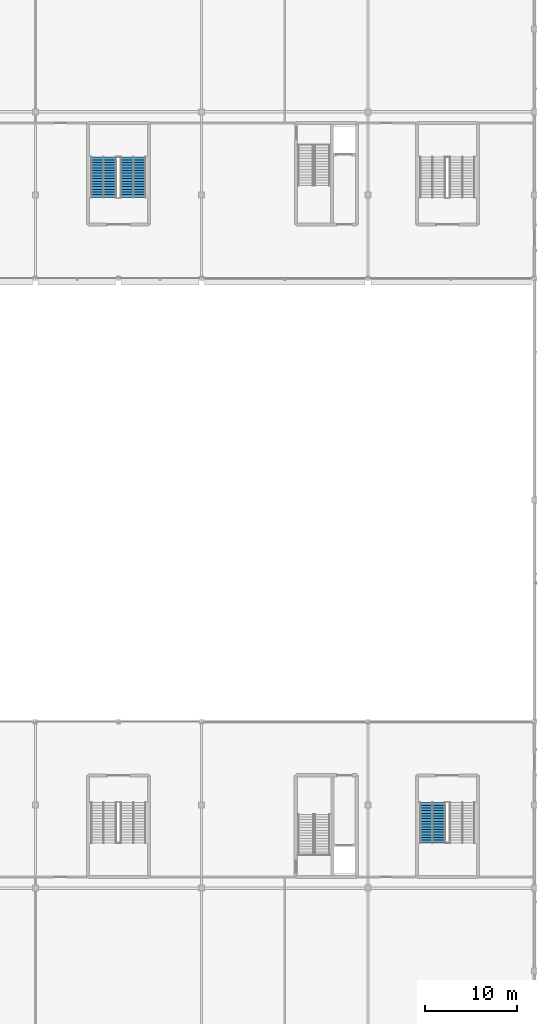
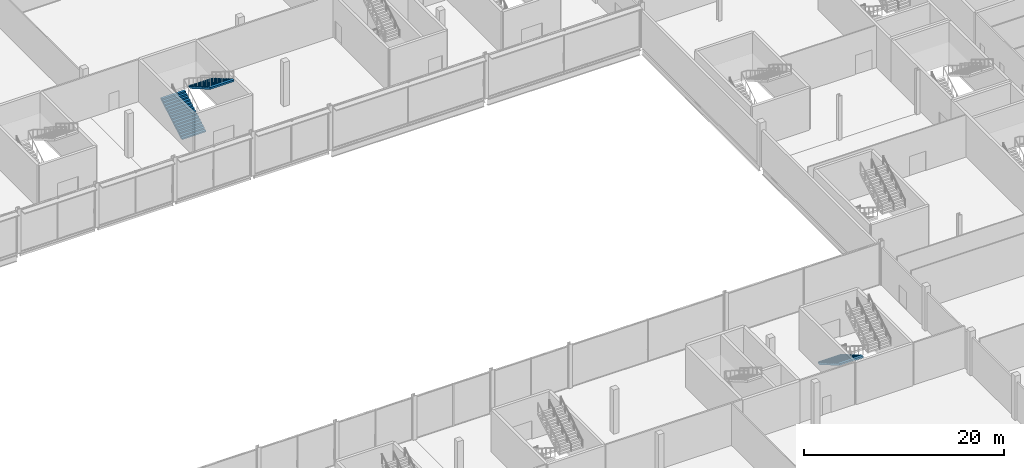
# One storey, part 89 of 111: 3 stair flights, 2 elements without a shape of their own.
"""IFC4 building model written with IfcOpenShell, lengths in metres."""

from ifc_helpers import new_model, si_unit, direction, frame, origin, place, context, subcontext, project, spatial, polygons, material, type_object, element, aggregate, save


model = new_model("IFC4")

# Units and contexts
model_context = context("Model", 3, precision=1e-05, world=origin(), true_north=direction((0.0, 1.0)))
body_context = subcontext(model_context, "Body", "Model", "MODEL_VIEW")
ifc_project = project(units=[si_unit("LENGTHUNIT", "METRE"), si_unit("AREAUNIT", "SQUARE_METRE"), si_unit("VOLUMEUNIT", "CUBIC_METRE"), si_unit("PLANEANGLEUNIT", "RADIAN"), si_unit("MASSUNIT", "GRAM", prefix="KILO")], contexts=[model_context])

# Site, building, storey
site_placement = place(None, origin())
site = spatial("IfcSite", under=ifc_project, at=site_placement, CompositionType="ELEMENT")
building_placement = place(site_placement, origin())
building = spatial("IfcBuilding", under=site, at=building_placement, Name="Kisiwana Market Hall", CompositionType="ELEMENT")
storey_placement = place(building_placement, frame((0.0, 0.0, 11.39990234375)))
storey = spatial("IfcBuildingStorey", under=building, at=storey_placement, Name="L02", CompositionType="ELEMENT", Elevation=11.39990234375)

# Stair, stair flights
ifc_material_1 = material(Name="Concrete C32/40", Category="concrete")
stair_type = type_object("IfcStairType", Name="ST-ESC-5400", PredefinedType="TWO_STRAIGHT_RUN_STAIR", material=ifc_material_1)
stair_1_placement = place(storey_placement, origin())
stair_1 = element("IfcStair", 1, at=stair_1_placement, inside=storey, type_object=stair_type, Name="Escape stair ST-N5-L02", PredefinedType="TWO_STRAIGHT_RUN_STAIR")
ifc_material_2 = material(Name="Concrete C32/40", Category="concrete")
stair_flight_type = type_object("IfcStairFlightType", Name="SF-ESC-5400", PredefinedType="STRAIGHT", material=ifc_material_2)
stair_flight_1_placement = place(storey_placement, frame((106.389892578125, 92.760009765625, 0.0), z_axis=(0.0, 0.0, 1.0), x_axis=(0.0, 1.0, 0.0)))
stair_flight_1 = element("IfcStairFlight", 2, at=stair_flight_1_placement, type_object=stair_flight_type, Name="ST-N5-L02 flight 1", NumberOfRisers=16, NumberOfTreads=15, PredefinedType="STRAIGHT", RiserHeight=0.16875, TreadLength=0.29, context=body_context, shape_type="Tessellation", body=[
    polygons([(0.0, -1.380127, 0.0), (0.0, -0.690125, 0.0), (0.0, -0.000122, 0.0), (0.0, 0.68988, 0.0), (0.0, 1.379883, 0.0), (0.0, -1.380127, 0.168701), (0.0, -0.690125, 0.168701), (0.0, -0.000122, 0.168701), (0.0, 0.68988, 0.168701), (0.0, 1.379883, 0.168701), (0.290039, -1.380127, 0.168701), (0.290039, -0.690125, 0.168701), (0.290039, -0.000122, 0.168701), (0.290039, 0.68988, 0.168701), (0.290039, 1.379883, 0.168701), (0.290039, -1.380127, 0.337402), (0.290039, -0.690125, 0.337402), (0.290039, -0.000122, 0.337402), (0.290039, 0.68988, 0.337402), (0.290039, 1.379883, 0.337402), (0.580078, -1.380127, 0.337402), (0.580078, -0.690125, 0.337402), (0.580078, -0.000122, 0.337402), (0.580078, 0.68988, 0.337402), (0.580078, 1.379883, 0.337402), (0.580078, -1.380127, 0.506348), (0.580078, -0.690125, 0.506348), (0.580078, -0.000122, 0.506348), (0.580078, 0.68988, 0.506348), (0.580078, 1.379883, 0.506348), (0.870117, -1.380127, 0.506348), (0.870117, -0.690125, 0.506348), (0.870117, -0.000122, 0.506348), (0.870117, 0.68988, 0.506348), (0.870117, 1.379883, 0.506348), (0.870117, -1.380127, 0.675049), (0.870117, -0.690125, 0.675049), (0.870117, -0.000122, 0.675049), (0.870117, 0.68988, 0.675049), (0.870117, 1.379883, 0.675049), (1.159912, -1.380127, 0.675049), (1.159912, -0.690125, 0.675049), (1.159912, -0.000122, 0.675049), (1.159912, 0.68988, 0.675049), (1.159912, 1.379883, 0.675049), (1.159912, -1.380127, 0.84375), (1.159912, -0.690125, 0.84375), (1.159912, -0.000122, 0.84375), (1.159912, 0.68988, 0.84375), (1.159912, 1.379883, 0.84375), (1.449951, -1.380127, 0.84375), (1.449951, -0.690125, 0.84375), (1.449951, -0.000122, 0.84375), (1.449951, 0.68988, 0.84375), (1.449951, 1.379883, 0.84375), (1.449951, -1.380127, 1.012451), (1.449951, -0.690125, 1.012451), (1.449951, -0.000122, 1.012451), (1.449951, 0.68988, 1.012451), (1.449951, 1.379883, 1.012451), (1.73999, -1.380127, 1.012451), (1.73999, -0.690125, 1.012451), (1.73999, -0.000122, 1.012451), (1.73999, 0.68988, 1.012451), (1.73999, 1.379883, 1.012451), (1.73999, -1.380127, 1.181152), (1.73999, -0.690125, 1.181152), (1.73999, -0.000122, 1.181152), (1.73999, 0.68988, 1.181152), (1.73999, 1.379883, 1.181152), (2.030029, -1.380127, 1.181152), (2.030029, -0.690125, 1.181152), (2.030029, -0.000122, 1.181152), (2.030029, 0.68988, 1.181152), (2.030029, 1.379883, 1.181152), (2.030029, -1.380127, 1.350098), (2.030029, -0.690125, 1.350098), (2.030029, -0.000122, 1.350098), (2.030029, 0.68988, 1.350098), (2.030029, 1.379883, 1.350098), (2.320068, -1.380127, 1.350098), (2.320068, -0.690125, 1.350098), (2.320068, -0.000122, 1.350098), (2.320068, 0.68988, 1.350098), (2.320068, 1.379883, 1.350098), (2.320068, -1.380127, 1.518799), (2.320068, -0.690125, 1.518799), (2.320068, -0.000122, 1.518799), (2.320068, 0.68988, 1.518799), (2.320068, 1.379883, 1.518799), (2.610107, -1.380127, 1.518799), (2.610107, -0.690125, 1.518799), (2.610107, -0.000122, 1.518799), (2.610107, 0.68988, 1.518799), (2.610107, 1.379883, 1.518799), (2.610107, -1.380127, 1.6875), (2.610107, -0.690125, 1.6875), (2.610107, -0.000122, 1.6875), (2.610107, 0.68988, 1.6875), (2.610107, 1.379883, 1.6875), (2.899902, -1.380127, 1.6875), (2.899902, -0.690125, 1.6875), (2.899902, -0.000122, 1.6875), (2.899902, 0.68988, 1.6875), (2.899902, 1.379883, 1.6875), (2.899902, -1.380127, 1.856201), (2.899902, -0.690125, 1.856201), (2.899902, -0.000122, 1.856201), (2.899902, 0.68988, 1.856201), (2.899902, 1.379883, 1.856201), (3.189941, -1.380127, 1.856201), (3.189941, -0.690125, 1.856201), (3.189941, -0.000122, 1.856201), (3.189941, 0.68988, 1.856201), (3.189941, 1.379883, 1.856201), (3.189941, -1.380127, 2.024902), (3.189941, -0.690125, 2.024902), (3.189941, -0.000122, 2.024902), (3.189941, 0.68988, 2.024902), (3.189941, 1.379883, 2.024902), (3.47998, -1.380127, 2.024902), (3.47998, -0.690125, 2.024902), (3.47998, -0.000122, 2.024902), (3.47998, 0.68988, 2.024902), (3.47998, 1.379883, 2.024902), (3.47998, -1.380127, 2.193848), (3.47998, -0.690125, 2.193848), (3.47998, -0.000122, 2.193848), (3.47998, 0.68988, 2.193848), (3.47998, 1.379883, 2.193848), (3.77002, -1.380127, 2.193848), (3.77002, -0.690125, 2.193848), (3.77002, -0.000122, 2.193848), (3.77002, 0.68988, 2.193848), (3.77002, 1.379883, 2.193848), (3.77002, -1.380127, 2.362549), (3.77002, -0.690125, 2.362549), (3.77002, -0.000122, 2.362549), (3.77002, 0.68988, 2.362549), (3.77002, 1.379883, 2.362549), (4.060059, -1.380127, 2.362549), (4.060059, -0.690125, 2.362549), (4.060059, -0.000122, 2.362549), (4.060059, 0.68988, 2.362549), (4.060059, 1.379883, 2.362549), (4.060059, -1.380127, 2.53125), (4.060059, -0.690125, 2.53125), (4.060059, -0.000122, 2.53125), (4.060059, 0.68988, 2.53125), (4.060059, 1.379883, 2.53125), (4.350098, -1.380127, 2.53125), (4.350098, -0.690125, 2.53125), (4.350098, -0.000122, 2.53125), (4.350098, 0.68988, 2.53125), (4.350098, 1.379883, 2.53125), (4.350098, -1.380127, 2.322998), (4.350098, -0.690125, 2.322998), (4.350098, -0.000122, 2.322998), (4.350098, 0.68988, 2.322998), (4.350098, 1.379883, 2.322998), (0.357666, -1.380127, 0.0), (0.357666, -0.690125, 0.0), (0.357666, -0.000122, 0.0), (0.357666, 0.68988, 0.0), (0.357666, 1.379883, 0.0)], [[[1, 6, 7, 2]], [[2, 7, 8, 3]], [[3, 8, 9, 4]], [[4, 9, 10, 5]], [[6, 11, 12, 7]], [[7, 12, 13, 8]], [[8, 13, 14, 9]], [[9, 14, 15, 10]], [[11, 16, 17, 12]], [[12, 17, 18, 13]], [[13, 18, 19, 14]], [[14, 19, 20, 15]], [[16, 21, 22, 17]], [[17, 22, 23, 18]], [[18, 23, 24, 19]], [[19, 24, 25, 20]], [[21, 26, 27, 22]], [[22, 27, 28, 23]], [[23, 28, 29, 24]], [[24, 29, 30, 25]], [[26, 31, 32, 27]], [[27, 32, 33, 28]], [[28, 33, 34, 29]], [[29, 34, 35, 30]], [[31, 36, 37, 32]], [[32, 37, 38, 33]], [[33, 38, 39, 34]], [[34, 39, 40, 35]], [[36, 41, 42, 37]], [[37, 42, 43, 38]], [[38, 43, 44, 39]], [[39, 44, 45, 40]], [[41, 46, 47, 42]], [[42, 47, 48, 43]], [[43, 48, 49, 44]], [[44, 49, 50, 45]], [[46, 51, 52, 47]], [[47, 52, 53, 48]], [[48, 53, 54, 49]], [[49, 54, 55, 50]], [[51, 56, 57, 52]], [[52, 57, 58, 53]], [[53, 58, 59, 54]], [[54, 59, 60, 55]], [[56, 61, 62, 57]], [[57, 62, 63, 58]], [[58, 63, 64, 59]], [[59, 64, 65, 60]], [[61, 66, 67, 62]], [[62, 67, 68, 63]], [[63, 68, 69, 64]], [[64, 69, 70, 65]], [[66, 71, 72, 67]], [[67, 72, 73, 68]], [[68, 73, 74, 69]], [[69, 74, 75, 70]], [[71, 76, 77, 72]], [[72, 77, 78, 73]], [[73, 78, 79, 74]], [[74, 79, 80, 75]], [[76, 81, 82, 77]], [[77, 82, 83, 78]], [[78, 83, 84, 79]], [[79, 84, 85, 80]], [[81, 86, 87, 82]], [[82, 87, 88, 83]], [[83, 88, 89, 84]], [[84, 89, 90, 85]], [[86, 91, 92, 87]], [[87, 92, 93, 88]], [[88, 93, 94, 89]], [[89, 94, 95, 90]], [[91, 96, 97, 92]], [[92, 97, 98, 93]], [[93, 98, 99, 94]], [[94, 99, 100, 95]], [[96, 101, 102, 97]], [[97, 102, 103, 98]], [[98, 103, 104, 99]], [[99, 104, 105, 100]], [[101, 106, 107, 102]], [[102, 107, 108, 103]], [[103, 108, 109, 104]], [[104, 109, 110, 105]], [[106, 111, 112, 107]], [[107, 112, 113, 108]], [[108, 113, 114, 109]], [[109, 114, 115, 110]], [[111, 116, 117, 112]], [[112, 117, 118, 113]], [[113, 118, 119, 114]], [[114, 119, 120, 115]], [[116, 121, 122, 117]], [[117, 122, 123, 118]], [[118, 123, 124, 119]], [[119, 124, 125, 120]], [[121, 126, 127, 122]], [[122, 127, 128, 123]], [[123, 128, 129, 124]], [[124, 129, 130, 125]], [[126, 131, 132, 127]], [[127, 132, 133, 128]], [[128, 133, 134, 129]], [[129, 134, 135, 130]], [[131, 136, 137, 132]], [[132, 137, 138, 133]], [[133, 138, 139, 134]], [[134, 139, 140, 135]], [[136, 141, 142, 137]], [[137, 142, 143, 138]], [[138, 143, 144, 139]], [[139, 144, 145, 140]], [[141, 146, 147, 142]], [[142, 147, 148, 143]], [[143, 148, 149, 144]], [[144, 149, 150, 145]], [[146, 151, 152, 147]], [[147, 152, 153, 148]], [[148, 153, 154, 149]], [[149, 154, 155, 150]], [[151, 156, 157, 152]], [[152, 157, 158, 153]], [[153, 158, 159, 154]], [[154, 159, 160, 155]], [[156, 161, 162, 157]], [[157, 162, 163, 158]], [[158, 163, 164, 159]], [[159, 164, 165, 160]], [[161, 1, 2, 162]], [[162, 2, 3, 163]], [[163, 3, 4, 164]], [[164, 4, 5, 165]], [[161, 156, 151, 146, 141, 136, 131, 126, 121, 116, 111, 106, 101, 96, 91, 86, 81, 76, 71, 66, 61, 56, 51, 46, 41, 36, 31, 26, 21, 16, 11, 6, 1]], [[5, 10, 15, 20, 25, 30, 35, 40, 45, 50, 55, 60, 65, 70, 75, 80, 85, 90, 95, 100, 105, 110, 115, 120, 125, 130, 135, 140, 145, 150, 155, 160, 165]]], closed=True),
])
stair_flight_2_placement = place(storey_placement, frame((109.610107421875, 97.110107421875, 2.7001953125), z_axis=(0.0, 0.0, 1.0), x_axis=(0.0, -1.0, 0.0)))
stair_flight_2 = element("IfcStairFlight", 3, at=stair_flight_2_placement, type_object=stair_flight_type, Name="ST-N5-L02 flight 2", NumberOfRisers=16, NumberOfTreads=15, PredefinedType="STRAIGHT", RiserHeight=0.16875, TreadLength=0.29, context=body_context, shape_type="Tessellation", body=[
    polygons([(0.0, -1.380127, 0.0), (0.0, -0.690125, 0.0), (0.0, -0.000122, 0.0), (0.0, 0.68988, 0.0), (0.0, 1.379883, 0.0), (0.0, -1.380127, 0.168701), (0.0, -0.690125, 0.168701), (0.0, -0.000122, 0.168701), (0.0, 0.68988, 0.168701), (0.0, 1.379883, 0.168701), (0.290039, -1.380127, 0.168701), (0.290039, -0.690125, 0.168701), (0.290039, -0.000122, 0.168701), (0.290039, 0.68988, 0.168701), (0.290039, 1.379883, 0.168701), (0.290039, -1.380127, 0.337402), (0.290039, -0.690125, 0.337402), (0.290039, -0.000122, 0.337402), (0.290039, 0.68988, 0.337402), (0.290039, 1.379883, 0.337402), (0.580078, -1.380127, 0.337402), (0.580078, -0.690125, 0.337402), (0.580078, -0.000122, 0.337402), (0.580078, 0.68988, 0.337402), (0.580078, 1.379883, 0.337402), (0.580078, -1.380127, 0.506348), (0.580078, -0.690125, 0.506348), (0.580078, -0.000122, 0.506348), (0.580078, 0.68988, 0.506348), (0.580078, 1.379883, 0.506348), (0.870117, -1.380127, 0.506348), (0.870117, -0.690125, 0.506348), (0.870117, -0.000122, 0.506348), (0.870117, 0.68988, 0.506348), (0.870117, 1.379883, 0.506348), (0.870117, -1.380127, 0.675049), (0.870117, -0.690125, 0.675049), (0.870117, -0.000122, 0.675049), (0.870117, 0.68988, 0.675049), (0.870117, 1.379883, 0.675049), (1.159912, -1.380127, 0.675049), (1.159912, -0.690125, 0.675049), (1.159912, -0.000122, 0.675049), (1.159912, 0.68988, 0.675049), (1.159912, 1.379883, 0.675049), (1.159912, -1.380127, 0.84375), (1.159912, -0.690125, 0.84375), (1.159912, -0.000122, 0.84375), (1.159912, 0.68988, 0.84375), (1.159912, 1.379883, 0.84375), (1.449951, -1.380127, 0.84375), (1.449951, -0.690125, 0.84375), (1.449951, -0.000122, 0.84375), (1.449951, 0.68988, 0.84375), (1.449951, 1.379883, 0.84375), (1.449951, -1.380127, 1.012451), (1.449951, -0.690125, 1.012451), (1.449951, -0.000122, 1.012451), (1.449951, 0.68988, 1.012451), (1.449951, 1.379883, 1.012451), (1.73999, -1.380127, 1.012451), (1.73999, -0.690125, 1.012451), (1.73999, -0.000122, 1.012451), (1.73999, 0.68988, 1.012451), (1.73999, 1.379883, 1.012451), (1.73999, -1.380127, 1.181152), (1.73999, -0.690125, 1.181152), (1.73999, -0.000122, 1.181152), (1.73999, 0.68988, 1.181152), (1.73999, 1.379883, 1.181152), (2.030029, -1.380127, 1.181152), (2.030029, -0.690125, 1.181152), (2.030029, -0.000122, 1.181152), (2.030029, 0.68988, 1.181152), (2.030029, 1.379883, 1.181152), (2.030029, -1.380127, 1.350098), (2.030029, -0.690125, 1.350098), (2.030029, -0.000122, 1.350098), (2.030029, 0.68988, 1.350098), (2.030029, 1.379883, 1.350098), (2.320068, -1.380127, 1.350098), (2.320068, -0.690125, 1.350098), (2.320068, -0.000122, 1.350098), (2.320068, 0.68988, 1.350098), (2.320068, 1.379883, 1.350098), (2.320068, -1.380127, 1.518799), (2.320068, -0.690125, 1.518799), (2.320068, -0.000122, 1.518799), (2.320068, 0.68988, 1.518799), (2.320068, 1.379883, 1.518799), (2.610107, -1.380127, 1.518799), (2.610107, -0.690125, 1.518799), (2.610107, -0.000122, 1.518799), (2.610107, 0.68988, 1.518799), (2.610107, 1.379883, 1.518799), (2.610107, -1.380127, 1.6875), (2.610107, -0.690125, 1.6875), (2.610107, -0.000122, 1.6875), (2.610107, 0.68988, 1.6875), (2.610107, 1.379883, 1.6875), (2.899902, -1.380127, 1.6875), (2.899902, -0.690125, 1.6875), (2.899902, -0.000122, 1.6875), (2.899902, 0.68988, 1.6875), (2.899902, 1.379883, 1.6875), (2.899902, -1.380127, 1.856201), (2.899902, -0.690125, 1.856201), (2.899902, -0.000122, 1.856201), (2.899902, 0.68988, 1.856201), (2.899902, 1.379883, 1.856201), (3.189941, -1.380127, 1.856201), (3.189941, -0.690125, 1.856201), (3.189941, -0.000122, 1.856201), (3.189941, 0.68988, 1.856201), (3.189941, 1.379883, 1.856201), (3.189941, -1.380127, 2.024902), (3.189941, -0.690125, 2.024902), (3.189941, -0.000122, 2.024902), (3.189941, 0.68988, 2.024902), (3.189941, 1.379883, 2.024902), (3.47998, -1.380127, 2.024902), (3.47998, -0.690125, 2.024902), (3.47998, -0.000122, 2.024902), (3.47998, 0.68988, 2.024902), (3.47998, 1.379883, 2.024902), (3.47998, -1.380127, 2.193848), (3.47998, -0.690125, 2.193848), (3.47998, -0.000122, 2.193848), (3.47998, 0.68988, 2.193848), (3.47998, 1.379883, 2.193848), (3.77002, -1.380127, 2.193848), (3.77002, -0.690125, 2.193848), (3.77002, -0.000122, 2.193848), (3.77002, 0.68988, 2.193848), (3.77002, 1.379883, 2.193848), (3.77002, -1.380127, 2.362549), (3.77002, -0.690125, 2.362549), (3.77002, -0.000122, 2.362549), (3.77002, 0.68988, 2.362549), (3.77002, 1.379883, 2.362549), (4.060059, -1.380127, 2.362549), (4.060059, -0.690125, 2.362549), (4.060059, -0.000122, 2.362549), (4.060059, 0.68988, 2.362549), (4.060059, 1.379883, 2.362549), (4.060059, -1.380127, 2.53125), (4.060059, -0.690125, 2.53125), (4.060059, -0.000122, 2.53125), (4.060059, 0.68988, 2.53125), (4.060059, 1.379883, 2.53125), (4.350098, -1.380127, 2.53125), (4.350098, -0.690125, 2.53125), (4.350098, -0.000122, 2.53125), (4.350098, 0.68988, 2.53125), (4.350098, 1.379883, 2.53125), (4.350098, -1.380127, 2.322998), (4.350098, -0.690125, 2.322998), (4.350098, -0.000122, 2.322998), (4.350098, 0.68988, 2.322998), (4.350098, 1.379883, 2.322998), (0.357666, -1.380127, 0.0), (0.357666, -0.690125, 0.0), (0.357666, -0.000122, 0.0), (0.357666, 0.68988, 0.0), (0.357666, 1.379883, 0.0)], [[[1, 6, 7, 2]], [[2, 7, 8, 3]], [[3, 8, 9, 4]], [[4, 9, 10, 5]], [[6, 11, 12, 7]], [[7, 12, 13, 8]], [[8, 13, 14, 9]], [[9, 14, 15, 10]], [[11, 16, 17, 12]], [[12, 17, 18, 13]], [[13, 18, 19, 14]], [[14, 19, 20, 15]], [[16, 21, 22, 17]], [[17, 22, 23, 18]], [[18, 23, 24, 19]], [[19, 24, 25, 20]], [[21, 26, 27, 22]], [[22, 27, 28, 23]], [[23, 28, 29, 24]], [[24, 29, 30, 25]], [[26, 31, 32, 27]], [[27, 32, 33, 28]], [[28, 33, 34, 29]], [[29, 34, 35, 30]], [[31, 36, 37, 32]], [[32, 37, 38, 33]], [[33, 38, 39, 34]], [[34, 39, 40, 35]], [[36, 41, 42, 37]], [[37, 42, 43, 38]], [[38, 43, 44, 39]], [[39, 44, 45, 40]], [[41, 46, 47, 42]], [[42, 47, 48, 43]], [[43, 48, 49, 44]], [[44, 49, 50, 45]], [[46, 51, 52, 47]], [[47, 52, 53, 48]], [[48, 53, 54, 49]], [[49, 54, 55, 50]], [[51, 56, 57, 52]], [[52, 57, 58, 53]], [[53, 58, 59, 54]], [[54, 59, 60, 55]], [[56, 61, 62, 57]], [[57, 62, 63, 58]], [[58, 63, 64, 59]], [[59, 64, 65, 60]], [[61, 66, 67, 62]], [[62, 67, 68, 63]], [[63, 68, 69, 64]], [[64, 69, 70, 65]], [[66, 71, 72, 67]], [[67, 72, 73, 68]], [[68, 73, 74, 69]], [[69, 74, 75, 70]], [[71, 76, 77, 72]], [[72, 77, 78, 73]], [[73, 78, 79, 74]], [[74, 79, 80, 75]], [[76, 81, 82, 77]], [[77, 82, 83, 78]], [[78, 83, 84, 79]], [[79, 84, 85, 80]], [[81, 86, 87, 82]], [[82, 87, 88, 83]], [[83, 88, 89, 84]], [[84, 89, 90, 85]], [[86, 91, 92, 87]], [[87, 92, 93, 88]], [[88, 93, 94, 89]], [[89, 94, 95, 90]], [[91, 96, 97, 92]], [[92, 97, 98, 93]], [[93, 98, 99, 94]], [[94, 99, 100, 95]], [[96, 101, 102, 97]], [[97, 102, 103, 98]], [[98, 103, 104, 99]], [[99, 104, 105, 100]], [[101, 106, 107, 102]], [[102, 107, 108, 103]], [[103, 108, 109, 104]], [[104, 109, 110, 105]], [[106, 111, 112, 107]], [[107, 112, 113, 108]], [[108, 113, 114, 109]], [[109, 114, 115, 110]], [[111, 116, 117, 112]], [[112, 117, 118, 113]], [[113, 118, 119, 114]], [[114, 119, 120, 115]], [[116, 121, 122, 117]], [[117, 122, 123, 118]], [[118, 123, 124, 119]], [[119, 124, 125, 120]], [[121, 126, 127, 122]], [[122, 127, 128, 123]], [[123, 128, 129, 124]], [[124, 129, 130, 125]], [[126, 131, 132, 127]], [[127, 132, 133, 128]], [[128, 133, 134, 129]], [[129, 134, 135, 130]], [[131, 136, 137, 132]], [[132, 137, 138, 133]], [[133, 138, 139, 134]], [[134, 139, 140, 135]], [[136, 141, 142, 137]], [[137, 142, 143, 138]], [[138, 143, 144, 139]], [[139, 144, 145, 140]], [[141, 146, 147, 142]], [[142, 147, 148, 143]], [[143, 148, 149, 144]], [[144, 149, 150, 145]], [[146, 151, 152, 147]], [[147, 152, 153, 148]], [[148, 153, 154, 149]], [[149, 154, 155, 150]], [[151, 156, 157, 152]], [[152, 157, 158, 153]], [[153, 158, 159, 154]], [[154, 159, 160, 155]], [[156, 161, 162, 157]], [[157, 162, 163, 158]], [[158, 163, 164, 159]], [[159, 164, 165, 160]], [[161, 1, 2, 162]], [[162, 2, 3, 163]], [[163, 3, 4, 164]], [[164, 4, 5, 165]], [[161, 156, 151, 146, 141, 136, 131, 126, 121, 116, 111, 106, 101, 96, 91, 86, 81, 76, 71, 66, 61, 56, 51, 46, 41, 36, 31, 26, 21, 16, 11, 6, 1]], [[5, 10, 15, 20, 25, 30, 35, 40, 45, 50, 55, 60, 65, 70, 75, 80, 85, 90, 95, 100, 105, 110, 115, 120, 125, 130, 135, 140, 145, 150, 155, 160, 165]]], closed=True),
])
aggregate(stair_1, [stair_flight_1, stair_flight_2])

# Stair, stair flight
stair_2_placement = place(storey_placement, origin())
stair_2 = element("IfcStair", 4, at=stair_2_placement, inside=storey, type_object=stair_type, Name="Escape stair ST-S6-L02", PredefinedType="TWO_STRAIGHT_RUN_STAIR")
stair_flight_3_placement = place(storey_placement, frame((141.989990234375, 27.239990234375, 0.0), z_axis=(0.0, 0.0, 1.0), x_axis=(0.0, -1.0, 0.0)))
stair_flight_3 = element("IfcStairFlight", 5, at=stair_flight_3_placement, type_object=stair_flight_type, Name="ST-S6-L02 flight 1", NumberOfRisers=16, NumberOfTreads=15, PredefinedType="STRAIGHT", RiserHeight=0.16875, TreadLength=0.29, context=body_context, shape_type="Tessellation", body=[
    polygons([(0.0, -1.380127, 0.0), (0.0, -0.690125, 0.0), (0.0, -0.000122, 0.0), (0.0, 0.68988, 0.0), (0.0, 1.379883, 0.0), (0.0, -1.380127, 0.168701), (0.0, -0.690125, 0.168701), (0.0, -0.000122, 0.168701), (0.0, 0.68988, 0.168701), (0.0, 1.379883, 0.168701), (0.290039, -1.380127, 0.168701), (0.290039, -0.690125, 0.168701), (0.290039, -0.000122, 0.168701), (0.290039, 0.68988, 0.168701), (0.290039, 1.379883, 0.168701), (0.290039, -1.380127, 0.337402), (0.290039, -0.690125, 0.337402), (0.290039, -0.000122, 0.337402), (0.290039, 0.68988, 0.337402), (0.290039, 1.379883, 0.337402), (0.580078, -1.380127, 0.337402), (0.580078, -0.690125, 0.337402), (0.580078, -0.000122, 0.337402), (0.580078, 0.68988, 0.337402), (0.580078, 1.379883, 0.337402), (0.580078, -1.380127, 0.506348), (0.580078, -0.690125, 0.506348), (0.580078, -0.000122, 0.506348), (0.580078, 0.68988, 0.506348), (0.580078, 1.379883, 0.506348), (0.870117, -1.380127, 0.506348), (0.870117, -0.690125, 0.506348), (0.870117, -0.000122, 0.506348), (0.870117, 0.68988, 0.506348), (0.870117, 1.379883, 0.506348), (0.870117, -1.380127, 0.675049), (0.870117, -0.690125, 0.675049), (0.870117, -0.000122, 0.675049), (0.870117, 0.68988, 0.675049), (0.870117, 1.379883, 0.675049), (1.159912, -1.380127, 0.675049), (1.159912, -0.690125, 0.675049), (1.159912, -0.000122, 0.675049), (1.159912, 0.68988, 0.675049), (1.159912, 1.379883, 0.675049), (1.159912, -1.380127, 0.84375), (1.159912, -0.690125, 0.84375), (1.159912, -0.000122, 0.84375), (1.159912, 0.68988, 0.84375), (1.159912, 1.379883, 0.84375), (1.449951, -1.380127, 0.84375), (1.449951, -0.690125, 0.84375), (1.449951, -0.000122, 0.84375), (1.449951, 0.68988, 0.84375), (1.449951, 1.379883, 0.84375), (1.449951, -1.380127, 1.012451), (1.449951, -0.690125, 1.012451), (1.449951, -0.000122, 1.012451), (1.449951, 0.68988, 1.012451), (1.449951, 1.379883, 1.012451), (1.73999, -1.380127, 1.012451), (1.73999, -0.690125, 1.012451), (1.73999, -0.000122, 1.012451), (1.73999, 0.68988, 1.012451), (1.73999, 1.379883, 1.012451), (1.73999, -1.380127, 1.181152), (1.73999, -0.690125, 1.181152), (1.73999, -0.000122, 1.181152), (1.73999, 0.68988, 1.181152), (1.73999, 1.379883, 1.181152), (2.030029, -1.380127, 1.181152), (2.030029, -0.690125, 1.181152), (2.030029, -0.000122, 1.181152), (2.030029, 0.68988, 1.181152), (2.030029, 1.379883, 1.181152), (2.030029, -1.380127, 1.350098), (2.030029, -0.690125, 1.350098), (2.030029, -0.000122, 1.350098), (2.030029, 0.68988, 1.350098), (2.030029, 1.379883, 1.350098), (2.320068, -1.380127, 1.350098), (2.320068, -0.690125, 1.350098), (2.320068, -0.000122, 1.350098), (2.320068, 0.68988, 1.350098), (2.320068, 1.379883, 1.350098), (2.320068, -1.380127, 1.518799), (2.320068, -0.690125, 1.518799), (2.320068, -0.000122, 1.518799), (2.320068, 0.68988, 1.518799), (2.320068, 1.379883, 1.518799), (2.610107, -1.380127, 1.518799), (2.610107, -0.690125, 1.518799), (2.610107, -0.000122, 1.518799), (2.610107, 0.68988, 1.518799), (2.610107, 1.379883, 1.518799), (2.610107, -1.380127, 1.6875), (2.610107, -0.690125, 1.6875), (2.610107, -0.000122, 1.6875), (2.610107, 0.68988, 1.6875), (2.610107, 1.379883, 1.6875), (2.899902, -1.380127, 1.6875), (2.899902, -0.690125, 1.6875), (2.899902, -0.000122, 1.6875), (2.899902, 0.68988, 1.6875), (2.899902, 1.379883, 1.6875), (2.899902, -1.380127, 1.856201), (2.899902, -0.690125, 1.856201), (2.899902, -0.000122, 1.856201), (2.899902, 0.68988, 1.856201), (2.899902, 1.379883, 1.856201), (3.189941, -1.380127, 1.856201), (3.189941, -0.690125, 1.856201), (3.189941, -0.000122, 1.856201), (3.189941, 0.68988, 1.856201), (3.189941, 1.379883, 1.856201), (3.189941, -1.380127, 2.024902), (3.189941, -0.690125, 2.024902), (3.189941, -0.000122, 2.024902), (3.189941, 0.68988, 2.024902), (3.189941, 1.379883, 2.024902), (3.47998, -1.380127, 2.024902), (3.47998, -0.690125, 2.024902), (3.47998, -0.000122, 2.024902), (3.47998, 0.68988, 2.024902), (3.47998, 1.379883, 2.024902), (3.47998, -1.380127, 2.193848), (3.47998, -0.690125, 2.193848), (3.47998, -0.000122, 2.193848), (3.47998, 0.68988, 2.193848), (3.47998, 1.379883, 2.193848), (3.77002, -1.380127, 2.193848), (3.77002, -0.690125, 2.193848), (3.77002, -0.000122, 2.193848), (3.77002, 0.68988, 2.193848), (3.77002, 1.379883, 2.193848), (3.77002, -1.380127, 2.362549), (3.77002, -0.690125, 2.362549), (3.77002, -0.000122, 2.362549), (3.77002, 0.68988, 2.362549), (3.77002, 1.379883, 2.362549), (4.060059, -1.380127, 2.362549), (4.060059, -0.690125, 2.362549), (4.060059, -0.000122, 2.362549), (4.060059, 0.68988, 2.362549), (4.060059, 1.379883, 2.362549), (4.060059, -1.380127, 2.53125), (4.060059, -0.690125, 2.53125), (4.060059, -0.000122, 2.53125), (4.060059, 0.68988, 2.53125), (4.060059, 1.379883, 2.53125), (4.350098, -1.380127, 2.53125), (4.350098, -0.690125, 2.53125), (4.350098, -0.000122, 2.53125), (4.350098, 0.68988, 2.53125), (4.350098, 1.379883, 2.53125), (4.350098, -1.380127, 2.322998), (4.350098, -0.690125, 2.322998), (4.350098, -0.000122, 2.322998), (4.350098, 0.68988, 2.322998), (4.350098, 1.379883, 2.322998), (0.357666, -1.380127, 0.0), (0.357666, -0.690125, 0.0), (0.357666, -0.000122, 0.0), (0.357666, 0.68988, 0.0), (0.357666, 1.379883, 0.0)], [[[1, 6, 7, 2]], [[2, 7, 8, 3]], [[3, 8, 9, 4]], [[4, 9, 10, 5]], [[6, 11, 12, 7]], [[7, 12, 13, 8]], [[8, 13, 14, 9]], [[9, 14, 15, 10]], [[11, 16, 17, 12]], [[12, 17, 18, 13]], [[13, 18, 19, 14]], [[14, 19, 20, 15]], [[16, 21, 22, 17]], [[17, 22, 23, 18]], [[18, 23, 24, 19]], [[19, 24, 25, 20]], [[21, 26, 27, 22]], [[22, 27, 28, 23]], [[23, 28, 29, 24]], [[24, 29, 30, 25]], [[26, 31, 32, 27]], [[27, 32, 33, 28]], [[28, 33, 34, 29]], [[29, 34, 35, 30]], [[31, 36, 37, 32]], [[32, 37, 38, 33]], [[33, 38, 39, 34]], [[34, 39, 40, 35]], [[36, 41, 42, 37]], [[37, 42, 43, 38]], [[38, 43, 44, 39]], [[39, 44, 45, 40]], [[41, 46, 47, 42]], [[42, 47, 48, 43]], [[43, 48, 49, 44]], [[44, 49, 50, 45]], [[46, 51, 52, 47]], [[47, 52, 53, 48]], [[48, 53, 54, 49]], [[49, 54, 55, 50]], [[51, 56, 57, 52]], [[52, 57, 58, 53]], [[53, 58, 59, 54]], [[54, 59, 60, 55]], [[56, 61, 62, 57]], [[57, 62, 63, 58]], [[58, 63, 64, 59]], [[59, 64, 65, 60]], [[61, 66, 67, 62]], [[62, 67, 68, 63]], [[63, 68, 69, 64]], [[64, 69, 70, 65]], [[66, 71, 72, 67]], [[67, 72, 73, 68]], [[68, 73, 74, 69]], [[69, 74, 75, 70]], [[71, 76, 77, 72]], [[72, 77, 78, 73]], [[73, 78, 79, 74]], [[74, 79, 80, 75]], [[76, 81, 82, 77]], [[77, 82, 83, 78]], [[78, 83, 84, 79]], [[79, 84, 85, 80]], [[81, 86, 87, 82]], [[82, 87, 88, 83]], [[83, 88, 89, 84]], [[84, 89, 90, 85]], [[86, 91, 92, 87]], [[87, 92, 93, 88]], [[88, 93, 94, 89]], [[89, 94, 95, 90]], [[91, 96, 97, 92]], [[92, 97, 98, 93]], [[93, 98, 99, 94]], [[94, 99, 100, 95]], [[96, 101, 102, 97]], [[97, 102, 103, 98]], [[98, 103, 104, 99]], [[99, 104, 105, 100]], [[101, 106, 107, 102]], [[102, 107, 108, 103]], [[103, 108, 109, 104]], [[104, 109, 110, 105]], [[106, 111, 112, 107]], [[107, 112, 113, 108]], [[108, 113, 114, 109]], [[109, 114, 115, 110]], [[111, 116, 117, 112]], [[112, 117, 118, 113]], [[113, 118, 119, 114]], [[114, 119, 120, 115]], [[116, 121, 122, 117]], [[117, 122, 123, 118]], [[118, 123, 124, 119]], [[119, 124, 125, 120]], [[121, 126, 127, 122]], [[122, 127, 128, 123]], [[123, 128, 129, 124]], [[124, 129, 130, 125]], [[126, 131, 132, 127]], [[127, 132, 133, 128]], [[128, 133, 134, 129]], [[129, 134, 135, 130]], [[131, 136, 137, 132]], [[132, 137, 138, 133]], [[133, 138, 139, 134]], [[134, 139, 140, 135]], [[136, 141, 142, 137]], [[137, 142, 143, 138]], [[138, 143, 144, 139]], [[139, 144, 145, 140]], [[141, 146, 147, 142]], [[142, 147, 148, 143]], [[143, 148, 149, 144]], [[144, 149, 150, 145]], [[146, 151, 152, 147]], [[147, 152, 153, 148]], [[148, 153, 154, 149]], [[149, 154, 155, 150]], [[151, 156, 157, 152]], [[152, 157, 158, 153]], [[153, 158, 159, 154]], [[154, 159, 160, 155]], [[156, 161, 162, 157]], [[157, 162, 163, 158]], [[158, 163, 164, 159]], [[159, 164, 165, 160]], [[161, 1, 2, 162]], [[162, 2, 3, 163]], [[163, 3, 4, 164]], [[164, 4, 5, 165]], [[161, 156, 151, 146, 141, 136, 131, 126, 121, 116, 111, 106, 101, 96, 91, 86, 81, 76, 71, 66, 61, 56, 51, 46, 41, 36, 31, 26, 21, 16, 11, 6, 1]], [[5, 10, 15, 20, 25, 30, 35, 40, 45, 50, 55, 60, 65, 70, 75, 80, 85, 90, 95, 100, 105, 110, 115, 120, 125, 130, 135, 140, 145, 150, 155, 160, 165]]], closed=True),
])
aggregate(stair_2, [stair_flight_3])

save(model, "model.ifc")
